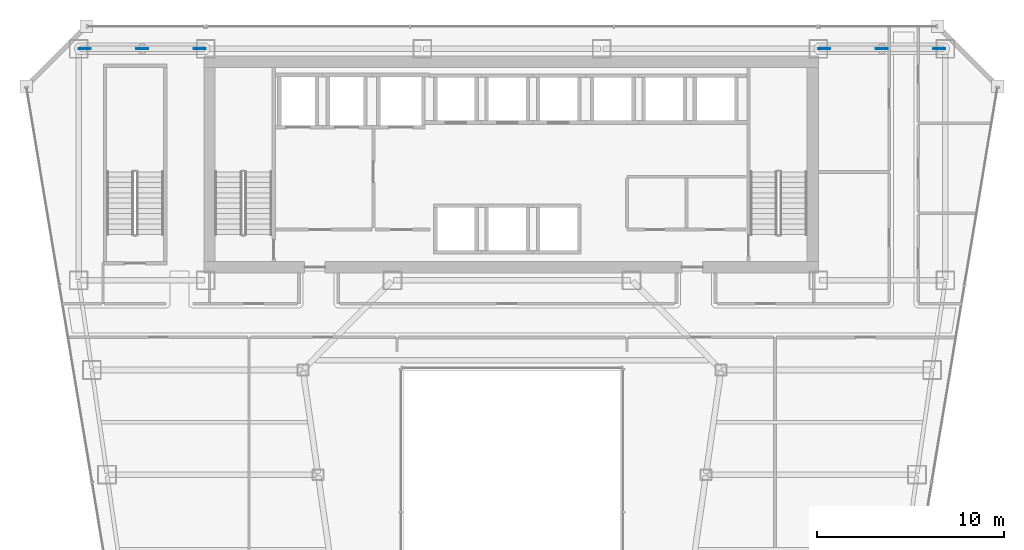
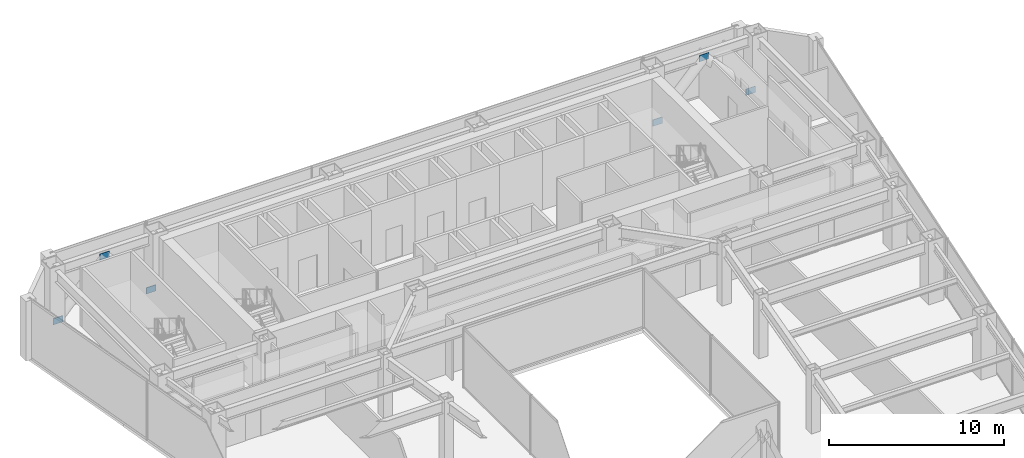
# One storey, part 27 of 35: 6 plates.
"""IFC4 building model written with IfcOpenShell, lengths in metres."""

import ifcopenshell
import ifcopenshell.guid

model = None  # the IFC model being written
_history = None  # IfcOwnerHistory: only IFC2X3 demands one
_inside = {}  # id of a spatial element -> (the spatial element, [elements in it])
_under = {}  # id of a project, library or spatial element -> (it, [spatial elements below it])
_declared = {}  # id of a project -> (the project, [libraries it declares])
_typed = {}  # id of a type object -> (the type object, [elements of that type])
_made_of = {}  # id of a material, layer set ... -> (it, [elements and type objects made of it])


def new_model(schema):
    """Start an empty IFC model of exactly this schema.

    Asked for "IFC4X3", IfcOpenShell would pick the latest addendum, in which some entities
    have other attributes; the version numbers below select the first issue.
    IFC2X3 requires an IfcOwnerHistory on every rooted entity: one is made here for all.
    """
    global model, _history
    if schema == "IFC4X3":
        model = ifcopenshell.file(schema_version=(4, 3, 0, 0))
    else:
        model = ifcopenshell.file(schema=schema)
    _inside.clear()
    _under.clear()
    _declared.clear()
    _typed.clear()
    _made_of.clear()
    _history = None
    if model.schema == "IFC2X3":
        org = make("IfcOrganization", Name="unknown")
        user = make(
            "IfcPersonAndOrganization",
            ThePerson=make("IfcPerson", FamilyName="unknown"),
            TheOrganization=org,
        )
        app = make(
            "IfcApplication",
            ApplicationDeveloper=org,
            Version="unknown",
            ApplicationFullName="unknown",
            ApplicationIdentifier="unknown",
        )
        _history = make(
            "IfcOwnerHistory",
            OwningUser=user,
            OwningApplication=app,
            ChangeAction="ADDED",
            CreationDate=0,
        )
    return model


def make(cls, **values):
    """One entity of the class cls with the attributes given. An attribute that is None is left unset."""
    return model.create_entity(
        cls, **{name: value for name, value in values.items() if value is not None}
    )


def rooted(cls, **values):
    """An entity with a GlobalId (a new one), such as an element, a storey or a relation."""
    return make(cls, GlobalId=ifcopenshell.guid.new(), OwnerHistory=_history, **values)


def si_unit(unit_type, name, prefix=None):
    """IfcSIUnit, for example si_unit("LENGTHUNIT", "METRE", prefix="MILLI")."""
    return make("IfcSIUnit", UnitType=unit_type, Prefix=prefix, Name=name)


def assignment(units):
    """IfcUnitAssignment: the units of a project."""
    return None if units is None else make("IfcUnitAssignment", Units=units)


def point(xyz):
    """IfcCartesianPoint."""
    return None if xyz is None else make("IfcCartesianPoint", Coordinates=xyz)


def direction(xyz):
    """IfcDirection."""
    return None if xyz is None else make("IfcDirection", DirectionRatios=xyz)


def frame(location, z_axis=None, x_axis=None):
    """IfcAxis2Placement3D, a coordinate frame: its origin and axes. An axis left out is left unset."""
    return make(
        "IfcAxis2Placement3D",
        Location=point(location),
        Axis=direction(z_axis),
        RefDirection=direction(x_axis),
    )


def frame_2d(location, x_axis=None):
    """IfcAxis2Placement2D, a coordinate frame in the plane: its origin and x axis."""
    return make(
        "IfcAxis2Placement2D", Location=point(location), RefDirection=direction(x_axis)
    )


def origin():
    """The frame at (0, 0, 0) with its axes left unset."""
    return frame((0.0, 0.0, 0.0))


def origin_2d():
    """The frame at (0, 0) in the plane with its x axis left unset."""
    return frame_2d((0.0, 0.0))


def place(relative_to, where):
    """IfcLocalPlacement: puts the frame where relative to a parent placement (None: the world)."""
    return make(
        "IfcLocalPlacement", PlacementRelTo=relative_to, RelativePlacement=where
    )


def context(
    kind, dimensions, precision=None, world=None, true_north=None, identifier=None
):
    """IfcGeometricRepresentationContext, for example the 3D "Model" context."""
    return make(
        "IfcGeometricRepresentationContext",
        ContextIdentifier=identifier,
        ContextType=kind,
        CoordinateSpaceDimension=dimensions,
        Precision=precision,
        WorldCoordinateSystem=world,
        TrueNorth=true_north,
    )


def subcontext(parent, identifier, kind, view, scale=None):
    """IfcGeometricRepresentationSubContext, for example "Body" below "Model"."""
    return make(
        "IfcGeometricRepresentationSubContext",
        ContextIdentifier=identifier,
        ContextType=kind,
        ParentContext=parent,
        TargetScale=scale,
        TargetView=view,
    )


def project(units=None, contexts=None):
    """IfcProject with its units and contexts."""
    return rooted(
        "IfcProject",
        Name="project",
        RepresentationContexts=contexts,
        UnitsInContext=assignment(units),
    )


def spatial(cls, under=None, at=None, **own):
    """A site, building, storey or space (cls), placed at a placement, below another one or the project."""
    s = rooted(cls, ObjectPlacement=at, **own)
    if under is not None:
        _under.setdefault(under.id(), (under, []))[1].append(s)
    return s


def profile(cls, at=None, kind="AREA", **sizes):
    """A parametric profile (cls). Its sizes go by their IFC names, for example OverallWidth=200.0."""
    return make(cls, ProfileType=kind, Position=at, **sizes)


def rectangle(**sizes):
    """IfcRectangleProfileDef."""
    return profile("IfcRectangleProfileDef", **sizes)


def extrude(swept, where, along, depth):
    """IfcExtrudedAreaSolid: the profile swept, set in the frame where, extruded along a direction by depth."""
    return make(
        "IfcExtrudedAreaSolid",
        SweptArea=swept,
        Position=where,
        ExtrudedDirection=direction(along),
        Depth=depth,
    )


def shape(context_of_items, identifier, shape_type, items):
    """IfcShapeRepresentation: the items that make up one representation, for example the "Body"."""
    return make(
        "IfcShapeRepresentation",
        ContextOfItems=context_of_items,
        RepresentationIdentifier=identifier,
        RepresentationType=shape_type,
        Items=items,
    )


def material(Name=None, Category=None):
    """IfcMaterial."""
    return make("IfcMaterial", Name=Name, Category=Category)


def layer(
    of_material, thickness, ventilated=None, Name=None, Category=None, Priority=None
):
    """IfcMaterialLayer: one layer of a wall or slab, of a material (None: an air gap)."""
    return make(
        "IfcMaterialLayer",
        Material=of_material,
        LayerThickness=thickness,
        IsVentilated=ventilated,
        Name=Name,
        Category=Category,
        Priority=Priority,
    )


def layer_set(layers, Name=None):
    """IfcMaterialLayerSet."""
    return make("IfcMaterialLayerSet", MaterialLayers=layers, LayerSetName=Name)


def made_of(thing, what):
    """Note that an element or type object is made of a material, layer set ...; save() writes the relation."""
    if what is not None:
        _made_of.setdefault(what.id(), (what, []))[1].append(thing)
    return thing


def type_object(cls, material=None, **own):
    """A type object (cls), such as IfcWallType, which elements share."""
    return made_of(rooted(cls, **own), material)


def element(
    cls,
    number,
    at=None,
    inside=None,
    cuts=None,
    type_object=None,
    material=None,
    context=None,
    identifier="Body",
    shape_type=None,
    held_by="IfcProductDefinitionShape",
    body=None,
    shapes=None,
    **own,
):
    """One element of the class cls, such as IfcWall. Its Tag is "e" and its number.

    at: its placement. inside: the storey or other place that contains it. cuts: it is an
    opening in that element (IfcRelVoidsElement). A single representation is given by context,
    identifier, shape_type and body (its items); several are given by shapes. held_by: the class
    of the entity that holds the representations. save() writes the other relations.
    """
    e = rooted(cls, Tag="e%d" % number, ObjectPlacement=at, **own)
    if body is not None:
        shapes = [shape(context, identifier, shape_type, body)]
    if shapes is not None:
        e.Representation = make(held_by, Representations=shapes)
    if inside is not None:
        _inside.setdefault(inside.id(), (inside, []))[1].append(e)
    if cuts is not None:
        rooted(
            "IfcRelVoidsElement", RelatingBuildingElement=cuts, RelatedOpeningElement=e
        )
    if type_object is not None:
        _typed.setdefault(type_object.id(), (type_object, []))[1].append(e)
    return made_of(e, material)


def aggregate(whole, parts):
    """IfcRelAggregates: a whole, such as a stair, and the parts it consists of."""
    return rooted("IfcRelAggregates", RelatingObject=whole, RelatedObjects=parts)


def save(model, path):
    """Write the relations noted so far, then the file.

    IfcRelAggregates (storeys below a building ...), IfcRelContainedInSpatialStructure (elements
    in a storey), IfcRelDefinesByType, IfcRelAssociatesMaterial and IfcRelDeclares: one each for
    every whole, place, type object, material and project.
    """
    for whole, parts in _under.values():
        aggregate(whole, parts)
    for where, things in _inside.values():
        rooted(
            "IfcRelContainedInSpatialStructure",
            RelatedElements=things,
            RelatingStructure=where,
        )
    for kind, things in _typed.values():
        rooted("IfcRelDefinesByType", RelatedObjects=things, RelatingType=kind)
    for what, things in _made_of.values():
        rooted("IfcRelAssociatesMaterial", RelatedObjects=things, RelatingMaterial=what)
    for by, libraries in _declared.values():
        rooted("IfcRelDeclares", RelatingContext=by, RelatedDefinitions=libraries)
    model.write(path)


model = new_model("IFC4")

# Units and contexts
model_context = context("Model", 3, precision=1e-05, world=origin(), true_north=direction((0.0, 1.0)))
body_context = subcontext(model_context, "Body", "Model", "MODEL_VIEW")
ifc_project = project(units=[si_unit("LENGTHUNIT", "METRE"), si_unit("AREAUNIT", "SQUARE_METRE"), si_unit("VOLUMEUNIT", "CUBIC_METRE"), si_unit("PLANEANGLEUNIT", "RADIAN"), si_unit("MASSUNIT", "GRAM", prefix="KILO")], contexts=[model_context])

# Site, building, storey
site_placement = place(None, origin())
site = spatial("IfcSite", under=ifc_project, at=site_placement, CompositionType="ELEMENT")
building_placement = place(site_placement, origin())
building = spatial("IfcBuilding", under=site, at=building_placement, Name="Saevonmaru Cultural Tower", CompositionType="ELEMENT")
storey_placement = place(building_placement, frame((0.0, 0.0, 101.60009765625)))
storey = spatial("IfcBuildingStorey", under=building, at=storey_placement, Name="L21", CompositionType="ELEMENT", Elevation=101.60009765625)

# Plates
ifc_material = material(Name="Steel HSA600 (600 MPa)", Category="steel")
ifc_layer = layer(ifc_material, 0.0400390625, Name="Steel HSA600 (600 MPa)")
ifc_layer_set = layer_set([ifc_layer], Name="Steel HSA600 (600 MPa)")
plate_type = type_object("IfcPlateType", Name="PL-GUSSET-EXT", PredefinedType="USERDEFINED", material=ifc_layer_set)
for number, where, z_axis, x_axis, name in (
    (1, (10.199951171875, 54.800048828125, 3.449951171875), (0.0, 0.0, 1.0), (1.0, 0.0, 0.0), "L21 Perimeter Tube Gusset Plate"),
    (2, (7.1201171875, 54.800048828125, 0.02001953125), (0.0, 0.0, 1.0), (1.0, 0.0, 0.0), "L21 Perimeter Tube Gusset Plate"),
    (3, (13.280029296875, 54.800048828125, 0.02001953125), (0.0, 0.0, 1.0), (1.0, 0.0, 0.0), "L21 Perimeter Tube Gusset Plate"),
    (4, (49.800048828125, 54.800048828125, 3.449951171875), (0.0, 0.0, 1.0), (1.0, 0.0, 0.0), "L21 Perimeter Tube Gusset Plate"),
    (5, (46.719970703125, 54.800048828125, 0.02001953125), (0.0, 0.0, 1.0), (1.0, 0.0, 0.0), "L21 Perimeter Tube Gusset Plate"),
    (6, (52.8798828125, 54.800048828125, 0.02001953125), (0.0, 0.0, 1.0), (1.0, 0.0, 0.0), "L21 Perimeter Tube Gusset Plate"),
):
    element("IfcPlate", number, at=place(storey_placement, frame(where, z_axis=z_axis, x_axis=x_axis)), inside=storey, type_object=plate_type, Name=name, ObjectType="GUSSET_PLATE", PredefinedType="USERDEFINED", context=body_context, shape_type="SweptSolid", body=[
        extrude(rectangle(XDim=0.639892578125, YDim=0.0400390625, at=origin_2d()), origin(), (0.0, 0.0, 1.0), 0.43994140625),
    ])

save(model, "model.ifc")
